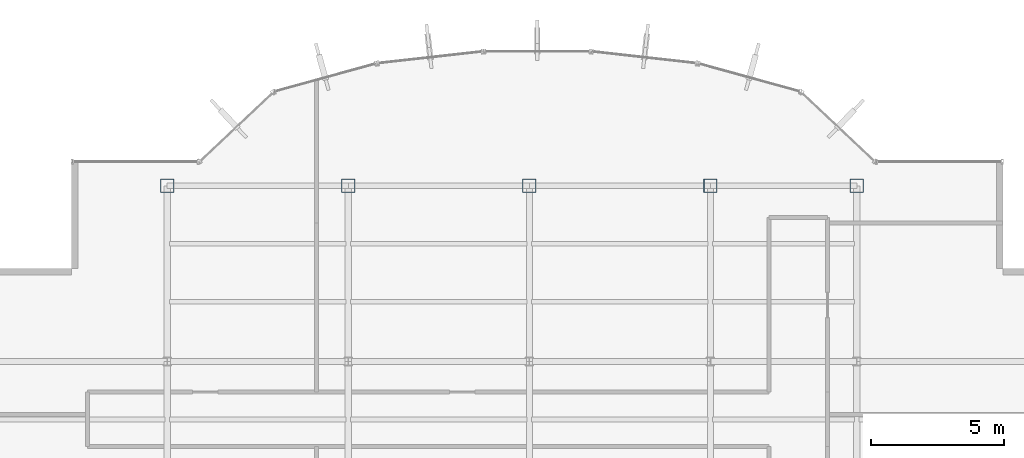
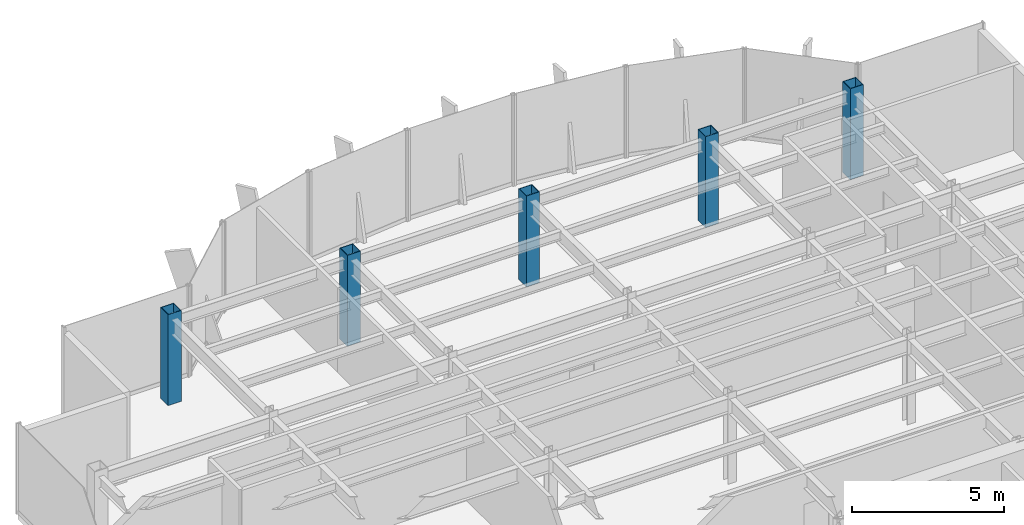
# One storey, part 2 of 22: 5 columns.
"""IFC4 building model written with IfcOpenShell, lengths in metres."""

from ifc_helpers import new_model, si_unit, derived_unit, direction, frame, origin, origin_2d, place, context, subcontext, project, spatial, hollow_rectangle, extrude, source, transform, mapped, material, material_profile, profile_set, type_object, element, save


model = new_model("IFC4")

# Units and contexts
model_context = context("Model", 3, precision=1e-05, world=origin(), true_north=direction((0.0, 1.0)))
body_context = subcontext(model_context, "Body", "Model", "MODEL_VIEW")
ifc_project = project(units=[si_unit("LENGTHUNIT", "METRE"), si_unit("AREAUNIT", "SQUARE_METRE"), si_unit("VOLUMEUNIT", "CUBIC_METRE"), si_unit("PLANEANGLEUNIT", "RADIAN"), si_unit("MASSUNIT", "GRAM", prefix="KILO"), derived_unit("THERMALTRANSMITTANCEUNIT", [(si_unit("POWERUNIT", "WATT"), 1), (si_unit("LENGTHUNIT", "METRE"), -2), (si_unit("THERMODYNAMICTEMPERATUREUNIT", "KELVIN"), -1)])], contexts=[model_context])

# Site, building, storey
site_placement = place(None, origin())
site = spatial("IfcSite", under=ifc_project, at=site_placement, CompositionType="ELEMENT")
building_placement = place(site_placement, origin())
building = spatial("IfcBuilding", under=site, at=building_placement, Name="Skarnbrae Concourse Arena and Tower", CompositionType="ELEMENT")
storey_placement = place(building_placement, frame((0.0, 0.0, 221.449951171875)))
storey = spatial("IfcBuildingStorey", under=building, at=storey_placement, Name="L57", CompositionType="ELEMENT", Elevation=221.449951171875)

# Columns
ifc_material = material(Name="Steel CSA G40.21 350W", Category="steel")
ifc_material_profile = material_profile(ifc_material, hollow_rectangle(XDim=0.5, YDim=0.5, WallThickness=0.02197265625, at=origin_2d()), Name="HSS500X500X22.0")
ifc_profile_set = profile_set([ifc_material_profile], Name="Steel CSA G40.21 350W")
column_type = type_object("IfcColumnType", Name="COL-TUBE-HSS500", PredefinedType="COLUMN", material=ifc_profile_set)
shared_shape = source(origin(), body_context, "Body", "SweptSolid", [
    extrude(hollow_rectangle(XDim=0.5, YDim=0.5, WallThickness=0.02197265625, at=origin_2d()), origin(), (0.0, 0.0, 1.0), 3.650146484375),
])
for number, where, z_axis, x_axis, name in (
    (1, (7.60009765625, 34.39990234375, 0.0), (0.0, 0.0, 1.0), (1.0, 0.0, 0.0), "L57 Tower column PC_02_05"),
    (2, (14.39990234375, 34.39990234375, 0.0), (0.0, 0.0, 1.0), (1.0, 0.0, 0.0), "L57 Tower column PC_03_05"),
    (3, (21.199951171875, 34.39990234375, 0.0), (0.0, 0.0, 1.0), (1.0, 0.0, 0.0), "L57 Tower column PC_04_05"),
    (4, (28.0, 34.39990234375, 0.0), (0.0, 0.0, 1.0), (1.0, 0.0, 0.0), "L57 Tower column PC_05_05"),
    (5, (33.5, 34.39990234375, 0.0), (0.0, 0.0, 1.0), (1.0, 0.0, 0.0), "L57 Tower column PC_06_05"),
):
    element("IfcColumn", number, at=place(storey_placement, frame(where, z_axis=z_axis, x_axis=x_axis)), inside=storey, type_object=column_type, Name=name, PredefinedType="COLUMN", context=body_context, shape_type="MappedRepresentation", body=[
        mapped(shared_shape, transform((0.0, 0.0, 0.0))),
    ])

save(model, "model.ifc")
